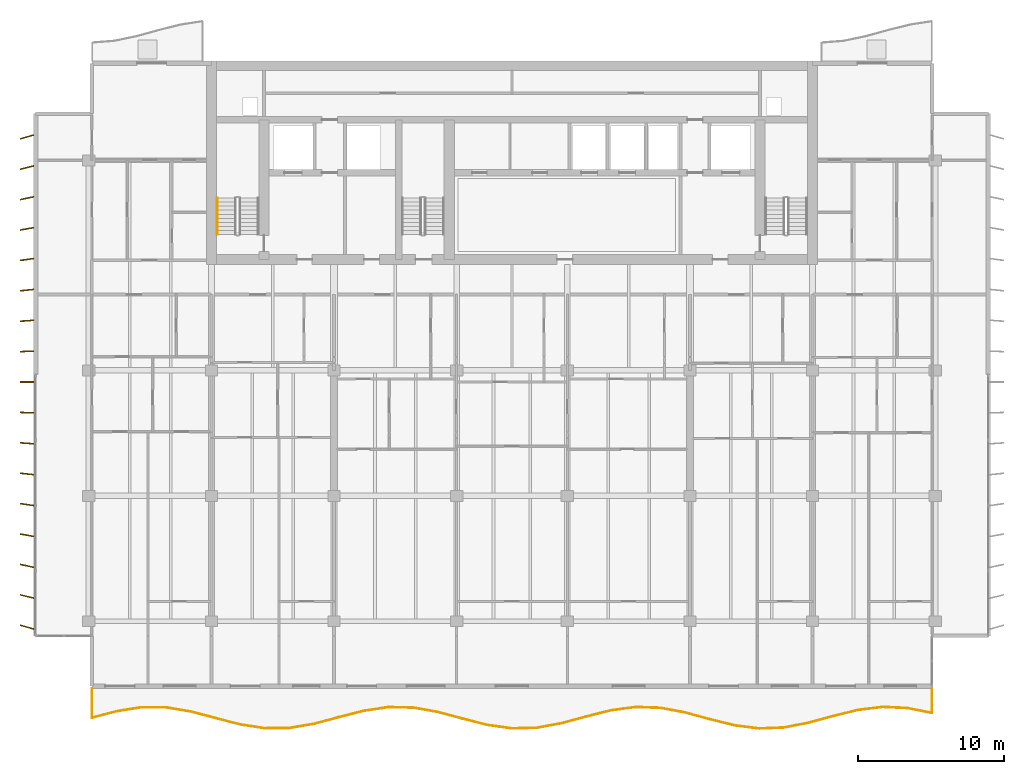
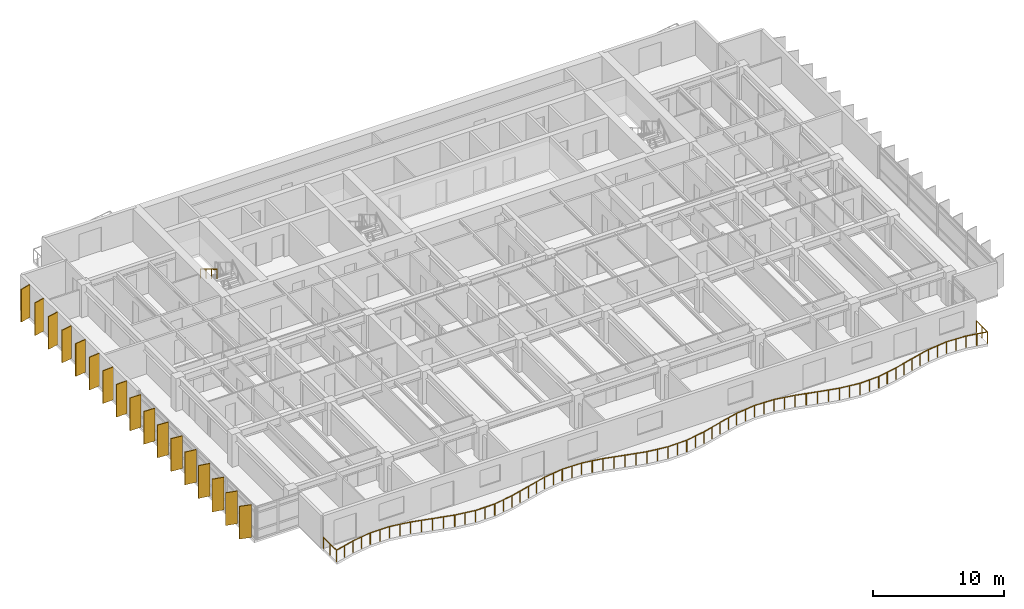
# One storey, part 15 of 18: 17 shading devices, 2 railings.
"""IFC4 building model written with IfcOpenShell, lengths in metres."""

from ifc_helpers import new_model, si_unit, direction, frame, origin, origin_2d, place, context, subcontext, project, spatial, rectangle, circle, extrude, material, material_profile, profile_set, type_object, element, save


model = new_model("IFC4")

# Units and contexts
model_context = context("Model", 3, precision=1e-05, world=origin(), true_north=direction((0.0, 1.0)))
body_context = subcontext(model_context, "Body", "Model", "MODEL_VIEW")
ifc_project = project(units=[si_unit("LENGTHUNIT", "METRE"), si_unit("AREAUNIT", "SQUARE_METRE"), si_unit("VOLUMEUNIT", "CUBIC_METRE"), si_unit("PLANEANGLEUNIT", "RADIAN"), si_unit("MASSUNIT", "GRAM", prefix="KILO")], contexts=[model_context])

# Site, building, storey
site_placement = place(None, origin())
site = spatial("IfcSite", under=ifc_project, at=site_placement, CompositionType="ELEMENT")
building_placement = place(site_placement, origin())
building = spatial("IfcBuilding", under=site, at=building_placement, Name="Caelmar Bay Residences", CompositionType="ELEMENT")
storey_placement = place(building_placement, frame((0.0, 0.0, 173.699951171875)))
storey = spatial("IfcBuildingStorey", under=building, at=storey_placement, Name="L48", CompositionType="ELEMENT", Elevation=173.699951171875)

# Railings
ifc_material_1 = material(Name="Anodised bronze handrail with laminated hurricane glass infill", Category="glass")
railing_type_1 = type_object("IfcRailingType", Name="RL-BAL-1100", PredefinedType="BALUSTRADE", material=ifc_material_1)
railing_1_placement = place(storey_placement, frame((10.10009765625, 7.60009765625, 0.0)))
element("IfcRailing", 1, at=railing_1_placement, inside=storey, type_object=railing_type_1, Name="L48 south Balcony Balustrade", PredefinedType="BALUSTRADE", context=body_context, shape_type="SweptSolid", body=[
    extrude(circle(Radius=0.02392578125, at=origin_2d()), frame((0.0, 0.0, 1.076171875), z_axis=(0.0, -1.0, 0.0), x_axis=(1.0, 0.0, 0.0)), (0.0, 0.0, 1.0), 2.02001953125),
    extrude(circle(Radius=0.02392578125, at=origin_2d()), frame((0.0, -2.02001953125, 1.076171875), z_axis=(0.967350254707, 0.253443257394, 0.0), x_axis=(-0.253443257394, 0.967350254707, 0.0)), (0.0, 0.0, 1.0), 1.751220703125),
    extrude(circle(Radius=0.02392578125, at=origin_2d()), frame((1.694091796875, -1.576171875, 1.076171875), z_axis=(0.987379289036, 0.158373418172, 0.0), x_axis=(-0.158373418172, 0.987379289036, 0.0)), (0.0, 0.0, 1.0), 1.7158203125),
    extrude(circle(Radius=0.02392578125, at=origin_2d()), frame((3.38818359375, -1.304443359375, 1.076171875), z_axis=(0.999993509891, -0.003602801232, 0.0), x_axis=(0.003602801232, 0.999993509891, 0.0)), (0.0, 0.0, 1.0), 1.694091796875),
    extrude(circle(Radius=0.02392578125, at=origin_2d()), frame((5.082275390625, -1.310546875, 1.076171875), z_axis=(0.986451495843, -0.164053181467, 0.0), x_axis=(0.164053181467, 0.986451495843, 0.0)), (0.0, 0.0, 1.0), 1.71728515625),
    extrude(circle(Radius=0.02392578125, at=origin_2d()), frame((6.7763671875, -1.59228515625, 1.076171875), z_axis=(0.966835874716, -0.255398495223, 0.0), x_axis=(0.255398495223, 0.966835874716, 0.0)), (0.0, 0.0, 1.0), 1.752197265625),
    extrude(circle(Radius=0.02392578125, at=origin_2d()), frame((8.470458984375, -2.039794921875, 1.076171875), z_axis=(0.967861219829, -0.251484908395, 0.0), x_axis=(0.251484908395, 0.967861219829, 0.0)), (0.0, 0.0, 1.0), 1.750244140625),
    extrude(circle(Radius=0.02392578125, at=origin_2d()), frame((10.16455078125, -2.47998046875, 1.076171875), z_axis=(0.988297485598, -0.152538781824, 0.0), x_axis=(0.152538781824, 0.988297485598, 0.0)), (0.0, 0.0, 1.0), 1.714111328125),
    extrude(circle(Radius=0.02392578125, at=origin_2d()), frame((11.858642578125, -2.741455078125, 1.076171875), z_axis=(0.999940025817, 0.010951929956, 0.0), x_axis=(-0.010951929956, 0.999940025817, 0.0)), (0.0, 0.0, 1.0), 1.694091796875),
    extrude(circle(Radius=0.02392578125, at=origin_2d()), frame((13.552734375, -2.722900390625, 1.076171875), z_axis=(0.985544445264, 0.169417078271, 0.0), x_axis=(-0.169417078271, 0.985544445264, 0.0)), (0.0, 0.0, 1.0), 1.71923828125),
    extrude(circle(Radius=0.02392578125, at=origin_2d()), frame((15.2470703125, -2.431640625, 1.076171875), z_axis=(0.966318097906, 0.257350604544, 0.0), x_axis=(-0.257350604544, 0.966318097906, 0.0)), (0.0, 0.0, 1.0), 1.753173828125),
    extrude(circle(Radius=0.02392578125, at=origin_2d()), frame((16.941162109375, -1.98046875, 1.076171875), z_axis=(0.968469845036, 0.249130807521, 0.0), x_axis=(-0.249130807521, 0.968469845036, 0.0)), (0.0, 0.0, 1.0), 1.749267578125),
    extrude(circle(Radius=0.02392578125, at=origin_2d()), frame((18.63525390625, -1.544677734375, 1.076171875), z_axis=(0.989203462354, 0.146548661089, 0.0), x_axis=(-0.146548661089, 0.989203462354, 0.0)), (0.0, 0.0, 1.0), 1.712646484375),
    extrude(circle(Radius=0.02392578125, at=origin_2d()), frame((20.329345703125, -1.293701171875, 1.076171875), z_axis=(0.999835179989, -0.018155243216, 0.0), x_axis=(0.018155243216, 0.999835179989, 0.0)), (0.0, 0.0, 1.0), 1.6943359375),
    extrude(circle(Radius=0.02392578125, at=origin_2d()), frame((22.0234375, -1.324462890625, 1.076171875), z_axis=(0.98460160759, -0.174813255592, 0.0), x_axis=(0.174813255592, 0.98460160759, 0.0)), (0.0, 0.0, 1.0), 1.720703125),
    extrude(circle(Radius=0.02392578125, at=origin_2d()), frame((23.717529296875, -1.625244140625, 1.076171875), z_axis=(0.96590144292, -0.258910027934, 0.0), x_axis=(0.258910027934, 0.96590144292, 0.0)), (0.0, 0.0, 1.0), 1.75390625),
    extrude(circle(Radius=0.02392578125, at=origin_2d()), frame((25.41162109375, -2.079345703125, 1.076171875), z_axis=(0.969106885695, -0.246641124101, 0.0), x_axis=(0.246641124101, 0.969106885695, 0.0)), (0.0, 0.0, 1.0), 1.748046875),
    extrude(circle(Radius=0.02392578125, at=origin_2d()), frame((27.105712890625, -2.510498046875, 1.076171875), z_axis=(0.990054800784, -0.140682235707, 0.0), x_axis=(0.140682235707, 0.990054800784, 0.0)), (0.0, 0.0, 1.0), 1.711181640625),
    extrude(circle(Radius=0.02392578125, at=origin_2d()), frame((28.7998046875, -2.751220703125, 1.076171875), z_axis=(0.999678491779, 0.025355730588, 0.0), x_axis=(-0.025355730588, 0.999678491779, 0.0)), (0.0, 0.0, 1.0), 1.694580078125),
    extrude(circle(Radius=0.02392578125, at=origin_2d()), frame((30.493896484375, -2.708251953125, 1.076171875), z_axis=(0.983635459479, 0.180170149733, 0.0), x_axis=(-0.180170149733, 0.983635459479, 0.0)), (0.0, 0.0, 1.0), 1.72216796875),
    extrude(circle(Radius=0.02392578125, at=origin_2d()), frame((32.18798828125, -2.39794921875, 1.076171875), z_axis=(0.965492072584, 0.260432443786, 0.0), x_axis=(-0.260432443786, 0.965492072584, 0.0)), (0.0, 0.0, 1.0), 1.7548828125),
    extrude(circle(Radius=0.02392578125, at=origin_2d()), frame((33.88232421875, -1.94091796875, 1.076171875), z_axis=(0.969804491573, 0.243883677446, 0.0), x_axis=(-0.243883677446, 0.969804491573, 0.0)), (0.0, 0.0, 1.0), 1.746826171875),
    extrude(circle(Radius=0.02392578125, at=origin_2d()), frame((35.576416015625, -1.514892578125, 1.076171875), z_axis=(0.990910806359, 0.134520533159, 0.0), x_axis=(-0.134520533159, 0.990910806359, 0.0)), (0.0, 0.0, 1.0), 1.709716796875),
    extrude(circle(Radius=0.02392578125, at=origin_2d()), frame((37.2705078125, -1.284912109375, 1.076171875), z_axis=(0.999470034304, -0.032552273779, 0.0), x_axis=(0.032552273779, 0.999470034304, 0.0)), (0.0, 0.0, 1.0), 1.695068359375),
    extrude(circle(Radius=0.02392578125, at=origin_2d()), frame((38.964599609375, -1.340087890625, 1.076171875), z_axis=(0.982693769792, -0.185237563177, 0.0), x_axis=(0.185237563177, 0.982693769792, 0.0)), (0.0, 0.0, 1.0), 1.723876953125),
    extrude(circle(Radius=0.02392578125, at=origin_2d()), frame((40.65869140625, -1.659423828125, 1.076171875), z_axis=(0.965131990185, -0.261763713147, 0.0), x_axis=(0.261763713147, 0.965131990185, 0.0)), (0.0, 0.0, 1.0), 1.75537109375),
    extrude(circle(Radius=0.02392578125, at=origin_2d()), frame((42.352783203125, -2.118896484375, 1.076171875), z_axis=(0.970503363819, -0.241087579139, 0.0), x_axis=(0.241087579139, 0.970503363819, 0.0)), (0.0, 0.0, 1.0), 1.745849609375),
    extrude(circle(Radius=0.02392578125, at=origin_2d()), frame((44.047119140625, -2.539794921875, 1.076171875), z_axis=(0.991729815207, -0.128343186923, 0.0), x_axis=(0.128343186923, 0.991729815207, 0.0)), (0.0, 0.0, 1.0), 1.708251953125),
    extrude(circle(Radius=0.02392578125, at=origin_2d()), frame((45.7412109375, -2.759033203125, 1.076171875), z_axis=(0.999204175887, 0.03988752799, 0.0), x_axis=(-0.03988752799, 0.999204175887, 0.0)), (0.0, 0.0, 1.0), 1.695556640625),
    extrude(circle(Radius=0.02392578125, at=origin_2d()), frame((47.435302734375, -2.69140625, 1.076171875), z_axis=(0.981754298051, 0.19015388047, 0.0), x_axis=(-0.19015388047, 0.981754298051, 0.0)), (0.0, 0.0, 1.0), 1.7255859375),
    extrude(circle(Radius=0.02392578125, at=origin_2d()), frame((49.12939453125, -2.36328125, 1.076171875), z_axis=(0.964850406209, 0.262799721535, 0.0), x_axis=(-0.262799721535, 0.964850406209, 0.0)), (0.0, 0.0, 1.0), 1.755859375),
    extrude(circle(Radius=0.02392578125, at=origin_2d()), frame((50.823486328125, -1.90185546875, 1.076171875), z_axis=(0.971211455087, 0.238219036829, 0.0), x_axis=(-0.238219036829, 0.971211455087, 0.0)), (0.0, 0.0, 1.0), 1.744384765625),
    extrude(circle(Radius=0.02392578125, at=origin_2d()), frame((52.517578125, -1.486328125, 1.076171875), z_axis=(0.992528875656, 0.122009962665, 0.0), x_axis=(-0.122009962665, 0.992528875656, 0.0)), (0.0, 0.0, 1.0), 1.706787109375),
    extrude(circle(Radius=0.02392578125, at=origin_2d()), frame((54.211669921875, -1.278076171875, 1.076171875), z_axis=(0.998891465735, -0.04707270634, 0.0), x_axis=(0.04707270634, 0.998891465735, 0.0)), (0.0, 0.0, 1.0), 1.696044921875),
    extrude(circle(Radius=0.02392578125, at=origin_2d()), frame((55.90576171875, -1.35791015625, 1.076171875), z_axis=(0.980819151904, -0.194919961158, 0.0), x_axis=(0.194919961158, 0.980819151904, 0.0)), (0.0, 0.0, 1.0), 1.727294921875),
    extrude(circle(Radius=0.02392578125, at=origin_2d()), frame((57.599853515625, -1.694580078125, 1.076171875), z_axis=(0.0, 1.0, 0.0), x_axis=(-1.0, 0.0, 0.0)), (0.0, 0.0, 1.0), 1.694580078125),
    extrude(circle(Radius=0.02099609375, at=origin_2d()), origin(), (0.0, 0.0, 1.0), 1.052001953125),
    extrude(circle(Radius=0.02099609375, at=origin_2d()), frame((0.0, -1.010009765625, 0.0)), (0.0, 0.0, 1.0), 1.052001953125),
    extrude(circle(Radius=0.02099609375, at=origin_2d()), frame((0.0, -2.02001953125, 0.0)), (0.0, 0.0, 1.0), 1.052001953125),
    extrude(circle(Radius=0.02099609375, at=origin_2d()), frame((0.84716796875, -1.798095703125, 0.0)), (0.0, 0.0, 1.0), 1.052001953125),
    extrude(circle(Radius=0.02099609375, at=origin_2d()), frame((1.694091796875, -1.576171875, 0.0)), (0.0, 0.0, 1.0), 1.052001953125),
    extrude(circle(Radius=0.02099609375, at=origin_2d()), frame((2.541015625, -1.4404296875, 0.0)), (0.0, 0.0, 1.0), 1.052001953125),
    extrude(circle(Radius=0.02099609375, at=origin_2d()), frame((3.38818359375, -1.304443359375, 0.0)), (0.0, 0.0, 1.0), 1.052001953125),
    extrude(circle(Radius=0.02099609375, at=origin_2d()), frame((4.2353515625, -1.3076171875, 0.0)), (0.0, 0.0, 1.0), 1.052001953125),
    extrude(circle(Radius=0.02099609375, at=origin_2d()), frame((5.082275390625, -1.310546875, 0.0)), (0.0, 0.0, 1.0), 1.052001953125),
    extrude(circle(Radius=0.02099609375, at=origin_2d()), frame((5.92919921875, -1.451416015625, 0.0)), (0.0, 0.0, 1.0), 1.052001953125),
    extrude(circle(Radius=0.02099609375, at=origin_2d()), frame((6.7763671875, -1.59228515625, 0.0)), (0.0, 0.0, 1.0), 1.052001953125),
    extrude(circle(Radius=0.02099609375, at=origin_2d()), frame((7.62353515625, -1.81591796875, 0.0)), (0.0, 0.0, 1.0), 1.052001953125),
    extrude(circle(Radius=0.02099609375, at=origin_2d()), frame((8.470458984375, -2.039794921875, 0.0)), (0.0, 0.0, 1.0), 1.052001953125),
    extrude(circle(Radius=0.02099609375, at=origin_2d()), frame((9.3173828125, -2.259765625, 0.0)), (0.0, 0.0, 1.0), 1.052001953125),
    extrude(circle(Radius=0.02099609375, at=origin_2d()), frame((10.16455078125, -2.47998046875, 0.0)), (0.0, 0.0, 1.0), 1.052001953125),
    extrude(circle(Radius=0.02099609375, at=origin_2d()), frame((11.01171875, -2.61083984375, 0.0)), (0.0, 0.0, 1.0), 1.052001953125),
    extrude(circle(Radius=0.02099609375, at=origin_2d()), frame((11.858642578125, -2.741455078125, 0.0)), (0.0, 0.0, 1.0), 1.052001953125),
    extrude(circle(Radius=0.02099609375, at=origin_2d()), frame((12.70556640625, -2.732177734375, 0.0)), (0.0, 0.0, 1.0), 1.052001953125),
    extrude(circle(Radius=0.02099609375, at=origin_2d()), frame((13.552734375, -2.722900390625, 0.0)), (0.0, 0.0, 1.0), 1.052001953125),
    extrude(circle(Radius=0.02099609375, at=origin_2d()), frame((14.39990234375, -2.5771484375, 0.0)), (0.0, 0.0, 1.0), 1.052001953125),
    extrude(circle(Radius=0.02099609375, at=origin_2d()), frame((15.2470703125, -2.431640625, 0.0)), (0.0, 0.0, 1.0), 1.052001953125),
    extrude(circle(Radius=0.02099609375, at=origin_2d()), frame((16.09423828125, -2.2060546875, 0.0)), (0.0, 0.0, 1.0), 1.052001953125),
    extrude(circle(Radius=0.02099609375, at=origin_2d()), frame((16.941162109375, -1.98046875, 0.0)), (0.0, 0.0, 1.0), 1.052001953125),
    extrude(circle(Radius=0.02099609375, at=origin_2d()), frame((17.7880859375, -1.7626953125, 0.0)), (0.0, 0.0, 1.0), 1.052001953125),
    extrude(circle(Radius=0.02099609375, at=origin_2d()), frame((18.63525390625, -1.544677734375, 0.0)), (0.0, 0.0, 1.0), 1.052001953125),
    extrude(circle(Radius=0.02099609375, at=origin_2d()), frame((19.482421875, -1.419189453125, 0.0)), (0.0, 0.0, 1.0), 1.052001953125),
    extrude(circle(Radius=0.02099609375, at=origin_2d()), frame((20.329345703125, -1.293701171875, 0.0)), (0.0, 0.0, 1.0), 1.052001953125),
    extrude(circle(Radius=0.02099609375, at=origin_2d()), frame((21.17626953125, -1.30908203125, 0.0)), (0.0, 0.0, 1.0), 1.052001953125),
    extrude(circle(Radius=0.02099609375, at=origin_2d()), frame((22.0234375, -1.324462890625, 0.0)), (0.0, 0.0, 1.0), 1.052001953125),
    extrude(circle(Radius=0.02099609375, at=origin_2d()), frame((22.87060546875, -1.474853515625, 0.0)), (0.0, 0.0, 1.0), 1.052001953125),
    extrude(circle(Radius=0.02099609375, at=origin_2d()), frame((23.717529296875, -1.625244140625, 0.0)), (0.0, 0.0, 1.0), 1.052001953125),
    extrude(circle(Radius=0.02099609375, at=origin_2d()), frame((24.564453125, -1.852294921875, 0.0)), (0.0, 0.0, 1.0), 1.052001953125),
    extrude(circle(Radius=0.02099609375, at=origin_2d()), frame((25.41162109375, -2.079345703125, 0.0)), (0.0, 0.0, 1.0), 1.052001953125),
    extrude(circle(Radius=0.02099609375, at=origin_2d()), frame((26.2587890625, -2.294921875, 0.0)), (0.0, 0.0, 1.0), 1.052001953125),
    extrude(circle(Radius=0.02099609375, at=origin_2d()), frame((27.105712890625, -2.510498046875, 0.0)), (0.0, 0.0, 1.0), 1.052001953125),
    extrude(circle(Radius=0.02099609375, at=origin_2d()), frame((27.95263671875, -2.630859375, 0.0)), (0.0, 0.0, 1.0), 1.052001953125),
    extrude(circle(Radius=0.02099609375, at=origin_2d()), frame((28.7998046875, -2.751220703125, 0.0)), (0.0, 0.0, 1.0), 1.052001953125),
    extrude(circle(Radius=0.02099609375, at=origin_2d()), frame((29.64697265625, -2.729736328125, 0.0)), (0.0, 0.0, 1.0), 1.052001953125),
    extrude(circle(Radius=0.02099609375, at=origin_2d()), frame((30.493896484375, -2.708251953125, 0.0)), (0.0, 0.0, 1.0), 1.052001953125),
    extrude(circle(Radius=0.02099609375, at=origin_2d()), frame((31.3408203125, -2.55322265625, 0.0)), (0.0, 0.0, 1.0), 1.052001953125),
    extrude(circle(Radius=0.02099609375, at=origin_2d()), frame((32.18798828125, -2.39794921875, 0.0)), (0.0, 0.0, 1.0), 1.052001953125),
    extrude(circle(Radius=0.02099609375, at=origin_2d()), frame((33.03515625, -2.16943359375, 0.0)), (0.0, 0.0, 1.0), 1.052001953125),
    extrude(circle(Radius=0.02099609375, at=origin_2d()), frame((33.88232421875, -1.94091796875, 0.0)), (0.0, 0.0, 1.0), 1.052001953125),
    extrude(circle(Radius=0.02099609375, at=origin_2d()), frame((34.7294921875, -1.72802734375, 0.0)), (0.0, 0.0, 1.0), 1.052001953125),
    extrude(circle(Radius=0.02099609375, at=origin_2d()), frame((35.576416015625, -1.514892578125, 0.0)), (0.0, 0.0, 1.0), 1.052001953125),
    extrude(circle(Radius=0.02099609375, at=origin_2d()), frame((36.42333984375, -1.39990234375, 0.0)), (0.0, 0.0, 1.0), 1.052001953125),
    extrude(circle(Radius=0.02099609375, at=origin_2d()), frame((37.2705078125, -1.284912109375, 0.0)), (0.0, 0.0, 1.0), 1.052001953125),
    extrude(circle(Radius=0.02099609375, at=origin_2d()), frame((38.11767578125, -1.3125, 0.0)), (0.0, 0.0, 1.0), 1.052001953125),
    extrude(circle(Radius=0.02099609375, at=origin_2d()), frame((38.964599609375, -1.340087890625, 0.0)), (0.0, 0.0, 1.0), 1.052001953125),
    extrude(circle(Radius=0.02099609375, at=origin_2d()), frame((39.8115234375, -1.499755859375, 0.0)), (0.0, 0.0, 1.0), 1.052001953125),
    extrude(circle(Radius=0.02099609375, at=origin_2d()), frame((40.65869140625, -1.659423828125, 0.0)), (0.0, 0.0, 1.0), 1.052001953125),
    extrude(circle(Radius=0.02099609375, at=origin_2d()), frame((41.505859375, -1.88916015625, 0.0)), (0.0, 0.0, 1.0), 1.052001953125),
    extrude(circle(Radius=0.02099609375, at=origin_2d()), frame((42.352783203125, -2.118896484375, 0.0)), (0.0, 0.0, 1.0), 1.052001953125),
    extrude(circle(Radius=0.02099609375, at=origin_2d()), frame((43.199951171875, -2.329345703125, 0.0)), (0.0, 0.0, 1.0), 1.052001953125),
    extrude(circle(Radius=0.02099609375, at=origin_2d()), frame((44.047119140625, -2.539794921875, 0.0)), (0.0, 0.0, 1.0), 1.052001953125),
    extrude(circle(Radius=0.02099609375, at=origin_2d()), frame((44.89404296875, -2.6494140625, 0.0)), (0.0, 0.0, 1.0), 1.052001953125),
    extrude(circle(Radius=0.02099609375, at=origin_2d()), frame((45.7412109375, -2.759033203125, 0.0)), (0.0, 0.0, 1.0), 1.052001953125),
    extrude(circle(Radius=0.02099609375, at=origin_2d()), frame((46.58837890625, -2.72509765625, 0.0)), (0.0, 0.0, 1.0), 1.052001953125),
    extrude(circle(Radius=0.02099609375, at=origin_2d()), frame((47.435302734375, -2.69140625, 0.0)), (0.0, 0.0, 1.0), 1.052001953125),
    extrude(circle(Radius=0.02099609375, at=origin_2d()), frame((48.2822265625, -2.52734375, 0.0)), (0.0, 0.0, 1.0), 1.052001953125),
    extrude(circle(Radius=0.02099609375, at=origin_2d()), frame((49.12939453125, -2.36328125, 0.0)), (0.0, 0.0, 1.0), 1.052001953125),
    extrude(circle(Radius=0.02099609375, at=origin_2d()), frame((49.9765625, -2.132568359375, 0.0)), (0.0, 0.0, 1.0), 1.052001953125),
    extrude(circle(Radius=0.02099609375, at=origin_2d()), frame((50.823486328125, -1.90185546875, 0.0)), (0.0, 0.0, 1.0), 1.052001953125),
    extrude(circle(Radius=0.02099609375, at=origin_2d()), frame((51.67041015625, -1.694091796875, 0.0)), (0.0, 0.0, 1.0), 1.052001953125),
    extrude(circle(Radius=0.02099609375, at=origin_2d()), frame((52.517578125, -1.486328125, 0.0)), (0.0, 0.0, 1.0), 1.052001953125),
    extrude(circle(Radius=0.02099609375, at=origin_2d()), frame((53.36474609375, -1.38232421875, 0.0)), (0.0, 0.0, 1.0), 1.052001953125),
    extrude(circle(Radius=0.02099609375, at=origin_2d()), frame((54.211669921875, -1.278076171875, 0.0)), (0.0, 0.0, 1.0), 1.052001953125),
    extrude(circle(Radius=0.02099609375, at=origin_2d()), frame((55.05859375, -1.31787109375, 0.0)), (0.0, 0.0, 1.0), 1.052001953125),
    extrude(circle(Radius=0.02099609375, at=origin_2d()), frame((55.90576171875, -1.35791015625, 0.0)), (0.0, 0.0, 1.0), 1.052001953125),
    extrude(circle(Radius=0.02099609375, at=origin_2d()), frame((56.7529296875, -1.5263671875, 0.0)), (0.0, 0.0, 1.0), 1.052001953125),
    extrude(circle(Radius=0.02099609375, at=origin_2d()), frame((57.599853515625, -1.694580078125, 0.0)), (0.0, 0.0, 1.0), 1.052001953125),
    extrude(circle(Radius=0.02099609375, at=origin_2d()), frame((57.599853515625, -0.84716796875, 0.0)), (0.0, 0.0, 1.0), 1.052001953125),
    extrude(circle(Radius=0.02099609375, at=origin_2d()), frame((57.599853515625, 0.0, 0.0)), (0.0, 0.0, 1.0), 1.052001953125),
])
ifc_material_2 = material(Name="Brushed bronze stainless-steel tubular handrail 900 mm", Category="steel")
railing_type_2 = type_object("IfcRailingType", Name="RL-HND-900", PredefinedType="HANDRAIL", material=ifc_material_2)
railing_2_placement = place(storey_placement, frame((18.699951171875, 41.219970703125, 1.81494140625)))
element("IfcRailing", 2, at=railing_2_placement, inside=storey, type_object=railing_type_2, Name="L48 ST1 stair handrail 2", PredefinedType="HANDRAIL", context=body_context, shape_type="SweptSolid", body=[
    extrude(circle(Radius=0.02392578125, at=origin_2d()), frame((0.0, 0.0, 0.8759765625), z_axis=(0.0, -0.86152411907, 0.507716645641), x_axis=(1.0, 0.0, 0.0)), (0.0, 0.0, 1.0), 2.925048828125),
    extrude(circle(Radius=0.02099609375, at=origin_2d()), origin(), (0.0, 0.0, 1.0), 0.851806640625),
    extrude(circle(Radius=0.02099609375, at=origin_2d()), frame((0.0, -0.840087890625, 0.4951171875)), (0.0, 0.0, 1.0), 0.851806640625),
    extrude(circle(Radius=0.02099609375, at=origin_2d()), frame((0.0, -1.679931640625, 0.989990234375)), (0.0, 0.0, 1.0), 0.851806640625),
    extrude(circle(Radius=0.02099609375, at=origin_2d()), frame((0.0, -2.52001953125, 1.485107421875)), (0.0, 0.0, 1.0), 0.851806640625),
])

# Shading devices
ifc_material_3 = material(Name="Anodised architectural bronze aluminium 6063-T6", Category="aluminium")
ifc_material_profile = material_profile(ifc_material_3, rectangle(XDim=0.074951171875, YDim=0.949951171875, at=origin_2d()), Name="BRONZE-FIN-75X950")
ifc_profile_set = profile_set([ifc_material_profile], Name="Anodised architectural bronze aluminium 6063-T6")
shading_device_type = type_object("IfcShadingDeviceType", Name="SHD-FIN-950", PredefinedType="USERDEFINED", material=ifc_profile_set)
for number, where, z_axis, x_axis, name in (
    (3, (5.64990234375, 11.800048828125, 0.0), (0.0, 0.0, 1.0), (0.275637355817, 0.961261695938, 0.0), "L48 West Bronze Solar Fin 1"),
    (4, (5.64990234375, 13.89990234375, 0.0), (0.0, 0.0, 1.0), (0.2419218956, 0.970295726276, 0.0), "L48 West Bronze Solar Fin 2"),
    (5, (5.64990234375, 16.0, 0.0), (0.0, 0.0, 1.0), (0.207911690818, 0.978147600734, 0.0), "L48 West Bronze Solar Fin 3"),
    (6, (5.64990234375, 18.10009765625, 0.0), (0.0, 0.0, 1.0), (0.173648177667, 0.984807753012, 0.0), "L48 West Bronze Solar Fin 4"),
    (7, (5.64990234375, 20.199951171875, 0.0), (0.0, 0.0, 1.0), (0.13917310096, 0.990268068742, 0.0), "L48 West Bronze Solar Fin 5"),
    (8, (5.64990234375, 22.300048828125, 0.0), (0.0, 0.0, 1.0), (0.104528463268, 0.994521895368, 0.0), "L48 West Bronze Solar Fin 6"),
    (9, (5.64990234375, 24.39990234375, 0.0), (0.0, 0.0, 1.0), (0.069756473744, 0.99756405026, 0.0), "L48 West Bronze Solar Fin 7"),
    (10, (5.64990234375, 26.5, 0.0), (0.0, 0.0, 1.0), (0.034899496703, 0.999390827019, 0.0), "L48 West Bronze Solar Fin 8"),
    (11, (5.64990234375, 28.60009765625, 0.0), (0.0, 0.0, 1.0), (0.0, 1.0, 0.0), "L48 West Bronze Solar Fin 9"),
    (12, (5.64990234375, 30.699951171875, 0.0), (0.0, 0.0, 1.0), (-0.034899496703, 0.999390827019, 0.0), "L48 West Bronze Solar Fin 10"),
    (13, (5.64990234375, 32.800048828125, 0.0), (0.0, 0.0, 1.0), (-0.069756473744, 0.99756405026, 0.0), "L48 West Bronze Solar Fin 11"),
    (14, (5.64990234375, 34.89990234375, 0.0), (0.0, 0.0, 1.0), (-0.104528463268, 0.994521895368, 0.0), "L48 West Bronze Solar Fin 12"),
    (15, (5.64990234375, 37.0, 0.0), (0.0, 0.0, 1.0), (-0.13917310096, 0.990268068742, 0.0), "L48 West Bronze Solar Fin 13"),
    (16, (5.64990234375, 39.10009765625, 0.0), (0.0, 0.0, 1.0), (-0.173648177667, 0.984807753012, 0.0), "L48 West Bronze Solar Fin 14"),
    (17, (5.64990234375, 41.199951171875, 0.0), (0.0, 0.0, 1.0), (-0.207911690818, 0.978147600734, 0.0), "L48 West Bronze Solar Fin 15"),
    (18, (5.64990234375, 43.300048828125, 0.0), (0.0, 0.0, 1.0), (-0.2419218956, 0.970295726276, 0.0), "L48 West Bronze Solar Fin 16"),
    (19, (5.64990234375, 45.39990234375, 0.0), (0.0, 0.0, 1.0), (-0.275637355817, 0.961261695938, 0.0), "L48 West Bronze Solar Fin 17"),
):
    element("IfcShadingDevice", number, at=place(storey_placement, frame(where, z_axis=z_axis, x_axis=x_axis)), inside=storey, type_object=shading_device_type, Name=name, ObjectType="FIN", PredefinedType="USERDEFINED", context=body_context, shape_type="SweptSolid", body=[
        extrude(rectangle(XDim=0.074951171875, YDim=0.949951171875, at=origin_2d()), origin(), (0.0, 0.0, 1.0), 3.050048828125),
    ])

save(model, "model.ifc")
